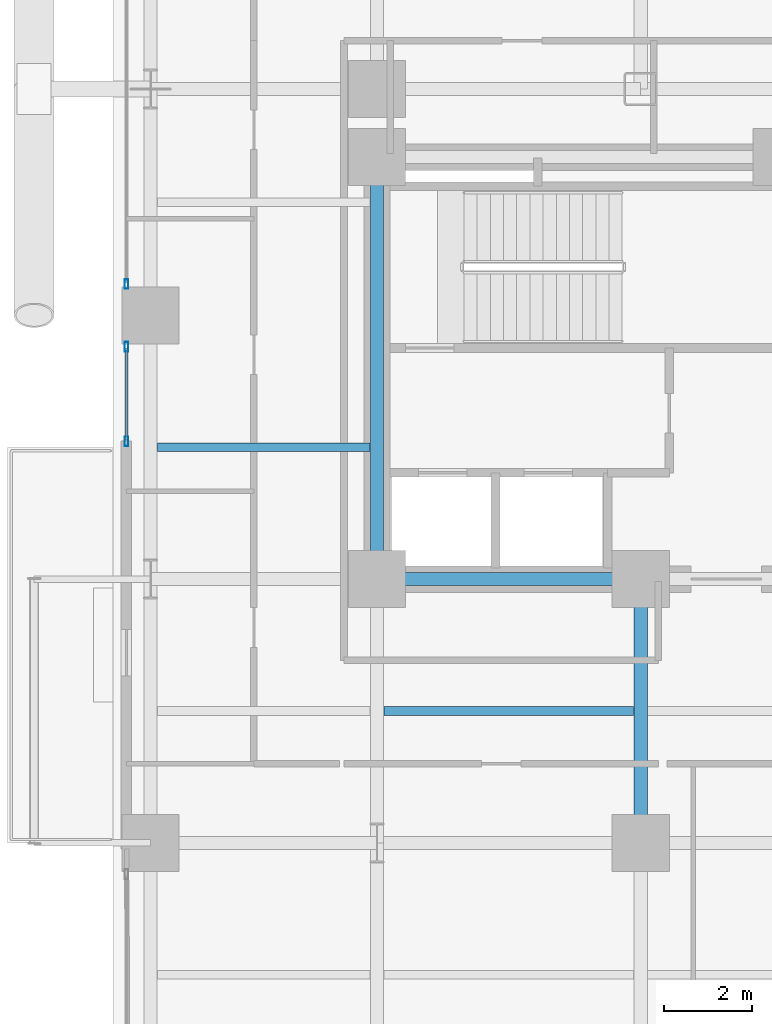
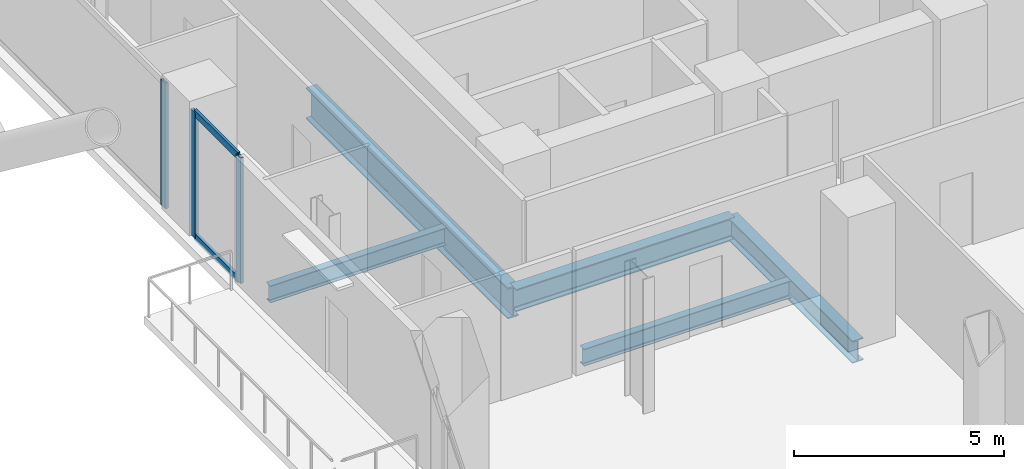
# One storey, part 5 of 25: 5 beams, 5 members, 2 elements without a shape of their own.
"""IFC4 building model written with IfcOpenShell, lengths in metres."""

from ifc_helpers import new_model, si_unit, direction, frame, origin, origin_2d, place, context, subcontext, project, spatial, hollow_rectangle, i_section, extrude, material, layer, layer_set, material_profile, profile_set, type_object, element, aggregate, save


model = new_model("IFC4")

# Units and contexts
model_context = context("Model", 3, precision=1e-05, world=origin(), true_north=direction((0.0, 1.0)))
body_context = subcontext(model_context, "Body", "Model", "MODEL_VIEW")
ifc_project = project(units=[si_unit("LENGTHUNIT", "METRE"), si_unit("AREAUNIT", "SQUARE_METRE"), si_unit("VOLUMEUNIT", "CUBIC_METRE"), si_unit("PLANEANGLEUNIT", "RADIAN"), si_unit("MASSUNIT", "GRAM", prefix="KILO"), si_unit("THERMODYNAMICTEMPERATUREUNIT", "KELVIN"), si_unit("POWERUNIT", "WATT")], contexts=[model_context])

# Site, building, storey
site_placement = place(None, origin())
site = spatial("IfcSite", under=ifc_project, at=site_placement, CompositionType="ELEMENT")
building_placement = place(site_placement, origin())
building = spatial("IfcBuilding", under=site, at=building_placement, Name="Svarakhadi Broadcast Tower", CompositionType="ELEMENT")
storey_placement = place(building_placement, frame((0.0, 0.0, 32.39990234375)))
storey = spatial("IfcBuildingStorey", under=building, at=storey_placement, Name="L06", CompositionType="ELEMENT", Elevation=32.39990234375)

# Beams
ifc_material_1 = material(Name="Steel S355J2 (IS 2062 E350C)", Category="steel")
ifc_material_profile_1 = material_profile(ifc_material_1, i_section(OverallWidth=0.199951171875, OverallDepth=0.5, WebThickness=0.01025390625, FlangeThickness=0.01611328125, FilletRadius=0.02099609375, at=origin_2d()), Name="NPB 500x200x91")
ifc_profile_set_1 = profile_set([ifc_material_profile_1], Name="Steel S355J2 (IS 2062 E350C)")
beam_type_1 = type_object("IfcBeamType", Name="Beam_NPB500", PredefinedType="BEAM", material=ifc_profile_set_1)
beam_1_placement = place(storey_placement, frame((1.010009765625, 21.0, -0.5), z_axis=(1.0, 0.0, 0.0), x_axis=(0.0, 1.0, 0.0)))
element("IfcBeam", 1, at=beam_1_placement, inside=storey, type_object=beam_type_1, Name="L06 Secondary Composite Beam SB003", PredefinedType="BEAM", context=body_context, shape_type="SweptSolid", body=[
    extrude(i_section(OverallWidth=0.199951171875, OverallDepth=0.5, WebThickness=0.01025390625, FlangeThickness=0.01611328125, FilletRadius=0.02099609375, at=origin_2d()), origin(), (0.0, 0.0, 1.0), 4.830078125),
])
beam_2_placement = place(storey_placement, frame((6.159912109375, 15.0, -0.5), z_axis=(1.0, 0.0, 0.0), x_axis=(0.0, 1.0, 0.0)))
element("IfcBeam", 2, at=beam_2_placement, inside=storey, type_object=beam_type_1, Name="L06 Secondary Composite Beam SB009", PredefinedType="BEAM", context=body_context, shape_type="SweptSolid", body=[
    extrude(i_section(OverallWidth=0.199951171875, OverallDepth=0.5, WebThickness=0.01025390625, FlangeThickness=0.01611328125, FilletRadius=0.02099609375, at=origin_2d()), origin(), (0.0, 0.0, 1.0), 5.68017578125),
])

# Curtain wall, members
ifc_material_2 = material(Name="Anodised Bronze Aluminium AA 6063-T6", Category="aluminium")
ifc_layer = layer(ifc_material_2, 0.219970703125)
ifc_layer_set = layer_set([ifc_layer], Name="Anodised Bronze Aluminium AA 6063-T6")
curtain_wall_type = type_object("IfcCurtainWallType", Name="CW_Sys_02", PredefinedType="NOTDEFINED", material=ifc_layer_set)
curtain_wall_1_placement = place(storey_placement, origin())
curtain_wall_1 = element("IfcCurtainWall", 3, at=curtain_wall_1_placement, inside=storey, type_object=curtain_wall_type, Name="L06 West Curtain Wall 03 Bay 1", PredefinedType="NOTDEFINED")
ifc_material_profile_2 = material_profile(ifc_material_2, hollow_rectangle(XDim=0.0849609375, YDim=0.219970703125, WallThickness=0.006103515625, at=origin_2d()), Name="ALU MULLION 220x85x6")
ifc_profile_set_2 = profile_set([ifc_material_profile_2], Name="Anodised Bronze Aluminium AA 6063-T6")
member_type_1 = type_object("IfcMemberType", Name="CW_Sys_02_Mul", PredefinedType="MULLION", material=ifc_profile_set_2)
member_1_placement = place(storey_placement, frame((0.300048828125, 21.132568359375, 0.0), z_axis=(0.0, 0.0, 1.0), x_axis=(-1.0, 0.0, 0.0)))
member_1 = element("IfcMember", 4, at=member_1_placement, type_object=member_type_1, Name="CW-02 mullion 1", PredefinedType="MULLION", context=body_context, shape_type="SweptSolid", body=[
    extrude(hollow_rectangle(XDim=0.0849609375, YDim=0.219970703125, WallThickness=0.006103515625, at=origin_2d()), origin(), (0.0, 0.0, 1.0), 3.650146484375),
])
member_2_placement = place(storey_placement, frame((0.300048828125, 23.28759765625, 0.0), z_axis=(0.0, 0.0, 1.0), x_axis=(-1.0, 0.0, 0.0)))
member_2 = element("IfcMember", 5, at=member_2_placement, type_object=member_type_1, Name="CW-02 mullion 2", PredefinedType="MULLION", context=body_context, shape_type="SweptSolid", body=[
    extrude(hollow_rectangle(XDim=0.0849609375, YDim=0.219970703125, WallThickness=0.006103515625, at=origin_2d()), origin(), (0.0, 0.0, 1.0), 3.650146484375),
])

# Curtain wall, member
curtain_wall_2_placement = place(storey_placement, origin())
curtain_wall_2 = element("IfcCurtainWall", 6, at=curtain_wall_2_placement, inside=storey, type_object=curtain_wall_type, Name="L06 West Curtain Wall 03 Bay 2", PredefinedType="NOTDEFINED")
member_3_placement = place(storey_placement, frame((0.300048828125, 24.71240234375, 0.0), z_axis=(0.0, 0.0, 1.0), x_axis=(-1.0, 0.0, 0.0)))
member_3 = element("IfcMember", 7, at=member_3_placement, type_object=member_type_1, Name="CW-02 mullion 1", PredefinedType="MULLION", context=body_context, shape_type="SweptSolid", body=[
    extrude(hollow_rectangle(XDim=0.0849609375, YDim=0.219970703125, WallThickness=0.006103515625, at=origin_2d()), origin(), (0.0, 0.0, 1.0), 3.650146484375),
])
aggregate(curtain_wall_2, [member_3])

# Member
ifc_material_profile_3 = material_profile(ifc_material_2, hollow_rectangle(XDim=0.074951171875, YDim=0.199951171875, WallThickness=0.0048828125, at=origin_2d()), Name="ALU TRANSOM 200x75x5")
ifc_profile_set_3 = profile_set([ifc_material_profile_3], Name="Anodised Bronze Aluminium AA 6063-T6")
member_type_2 = type_object("IfcMemberType", Name="CW_Sys_02_Trn", PredefinedType="USERDEFINED", material=ifc_profile_set_3)
member_4_placement = place(storey_placement, frame((0.300048828125, 21.175048828125, 0.03759765625), z_axis=(0.0, 1.0, 0.0), x_axis=(-1.0, 0.0, 0.0)))
member_4 = element("IfcMember", 8, at=member_4_placement, type_object=member_type_2, Name="CW-02 transom 1.1", ObjectType="TRANSOM", PredefinedType="USERDEFINED", context=body_context, shape_type="SweptSolid", body=[
    extrude(hollow_rectangle(XDim=0.074951171875, YDim=0.199951171875, WallThickness=0.0048828125, at=origin_2d()), origin(), (0.0, 0.0, 1.0), 2.070068359375),
])

member_5_placement = place(storey_placement, frame((0.300048828125, 21.175048828125, 3.612548828125), z_axis=(0.0, 1.0, 0.0), x_axis=(-1.0, 0.0, 0.0)))
member_5 = element("IfcMember", 9, at=member_5_placement, type_object=member_type_2, Name="CW-02 transom 1.2", ObjectType="TRANSOM", PredefinedType="USERDEFINED", context=body_context, shape_type="SweptSolid", body=[
    extrude(hollow_rectangle(XDim=0.074951171875, YDim=0.199951171875, WallThickness=0.0048828125, at=origin_2d()), origin(), (0.0, 0.0, 1.0), 2.070068359375),
])

aggregate(curtain_wall_1, [member_1, member_2, member_4, member_5])

# Beams
ifc_material_profile_4 = material_profile(ifc_material_1, i_section(OverallWidth=0.300048828125, OverallDepth=0.64990234375, WebThickness=0.01611328125, FlangeThickness=0.031005859375, FilletRadius=0.027099609375, at=origin_2d()), Name="WPB 650x300x225")
ifc_profile_set_4 = profile_set([ifc_material_profile_4], Name="Steel S355J2 (IS 2062 E350C)")
beam_type_2 = type_object("IfcBeamType", Name="Girder_WPB650", PredefinedType="USERDEFINED", material=ifc_profile_set_4)
for number, where, z_axis, x_axis, name in (
    (10, (6.0, 18.0, -0.574951171875), (1.0, 0.0, 0.0), (0.0, 1.0, 0.0), "L06 Primary E-W Girder G026"),
    (11, (12.0, 12.0, -0.574951171875), (0.0, 1.0, 0.0), (-1.0, 0.0, 0.0), "L06 Primary N-S Girder G060"),
):
    element("IfcBeam", number, at=place(storey_placement, frame(where, z_axis=z_axis, x_axis=x_axis)), inside=storey, type_object=beam_type_2, Name=name, ObjectType="GIRDER", PredefinedType="USERDEFINED", context=body_context, shape_type="SweptSolid", body=[
        extrude(i_section(OverallWidth=0.300048828125, OverallDepth=0.64990234375, WebThickness=0.01611328125, FlangeThickness=0.031005859375, FilletRadius=0.027099609375, at=origin_2d()), origin(), (0.0, 0.0, 1.0), 6.0),
    ])
ifc_material_3 = material(Name="Steel S460ML (IS 2062 E450BR)", Category="steel")
ifc_material_profile_5 = material_profile(ifc_material_3, i_section(OverallWidth=0.300048828125, OverallDepth=0.89990234375, WebThickness=0.0185546875, FlangeThickness=0.034912109375, FilletRadius=0.030029296875, at=origin_2d()), Name="WPB 900x300x291")
ifc_profile_set_5 = profile_set([ifc_material_profile_5], Name="Steel S460ML (IS 2062 E450BR)")
beam_type_3 = type_object("IfcBeamType", Name="Girder_WPB900", PredefinedType="USERDEFINED", material=ifc_profile_set_5)
beam_3_placement = place(storey_placement, frame((6.0, 18.0, -0.699951171875), z_axis=(0.0, 1.0, 0.0), x_axis=(-1.0, 0.0, 0.0)))
element("IfcBeam", 12, at=beam_3_placement, inside=storey, type_object=beam_type_3, Name="L06 Primary N-S Girder G054", ObjectType="GIRDER", PredefinedType="USERDEFINED", context=body_context, shape_type="SweptSolid", body=[
    extrude(i_section(OverallWidth=0.300048828125, OverallDepth=0.89990234375, WebThickness=0.0185546875, FlangeThickness=0.034912109375, FilletRadius=0.030029296875, at=origin_2d()), origin(), (0.0, 0.0, 1.0), 9.60009765625),
])

save(model, "model.ifc")
